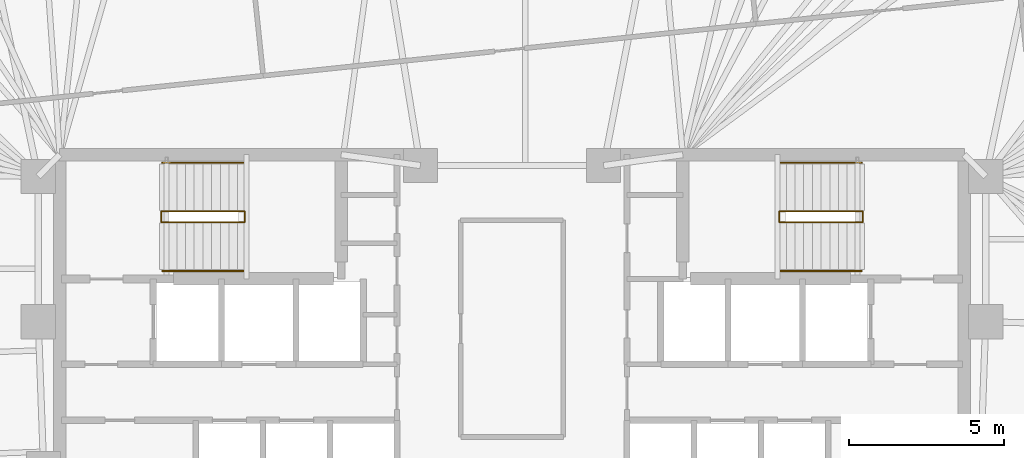
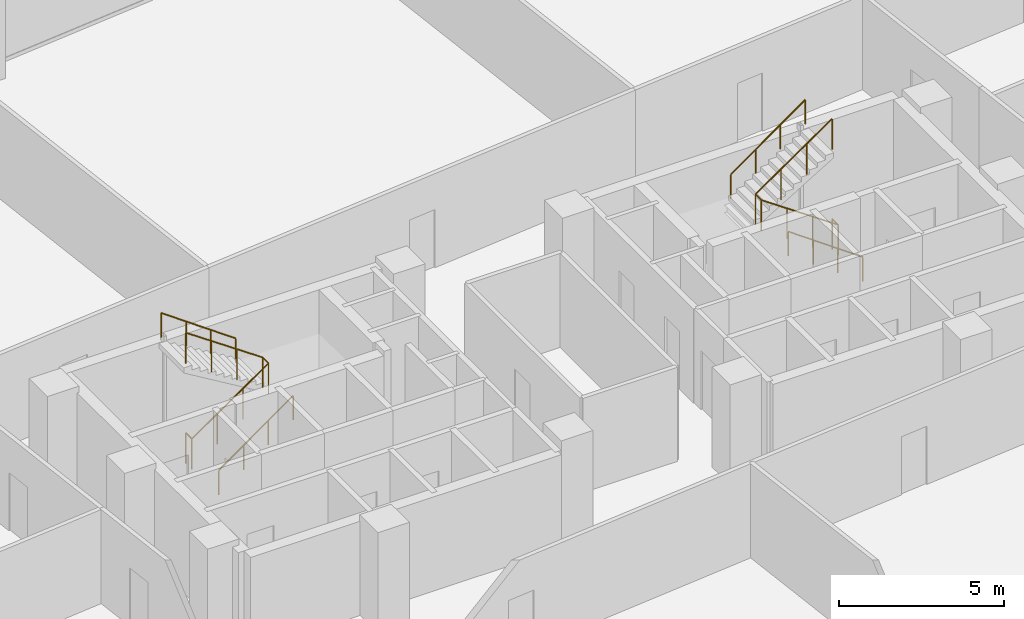
# One storey, part 18 of 18: 6 railings.
"""IFC4 building model written with IfcOpenShell, lengths in metres."""

from ifc_helpers import new_model, si_unit, direction, frame, origin, origin_2d, place, context, subcontext, project, spatial, circle, extrude, material, type_object, element, save


model = new_model("IFC4")

# Units and contexts
model_context = context("Model", 3, precision=1e-05, world=origin(), true_north=direction((0.0, 1.0)))
body_context = subcontext(model_context, "Body", "Model", "MODEL_VIEW")
ifc_project = project(units=[si_unit("LENGTHUNIT", "METRE"), si_unit("AREAUNIT", "SQUARE_METRE"), si_unit("VOLUMEUNIT", "CUBIC_METRE"), si_unit("PLANEANGLEUNIT", "RADIAN"), si_unit("MASSUNIT", "GRAM", prefix="KILO")], contexts=[model_context])

# Site, building, storey
site_placement = place(None, origin())
site = spatial("IfcSite", under=ifc_project, at=site_placement, CompositionType="ELEMENT")
building_placement = place(site_placement, origin())
building = spatial("IfcBuilding", under=site, at=building_placement, Name="Menara Jurai Vektor", CompositionType="ELEMENT")
storey_placement = place(building_placement, frame((0.0, 0.0, 117.0)))
storey = spatial("IfcBuildingStorey", under=building, at=storey_placement, Name="L29", CompositionType="ELEMENT", Elevation=117.0)

# Railings
ifc_material_1 = material(Name="Painted Galvanised Steel Balustrade", Category="steel")
railing_type_1 = type_object("IfcRailingType", Name="RAIL-STAIR-GUARD", PredefinedType="GUARDRAIL", material=ifc_material_1)
railing_1_placement = place(storey_placement, frame((-11.2900390625, 3.780029296875, 0.0)))
element("IfcRailing", 1, at=railing_1_placement, inside=storey, type_object=railing_type_1, Name="ST1 Stair Guardrail 1 L29", PredefinedType="GUARDRAIL", context=body_context, shape_type="SweptSolid", body=[
    extrude(circle(Radius=0.02392578125, at=origin_2d()), frame((0.0, 0.0, 1.1259765625), z_axis=(0.0, -1.0, 0.0), x_axis=(1.0, 0.0, 0.0)), (0.0, 0.0, 1.0), 0.360107421875),
    extrude(circle(Radius=0.02392578125, at=origin_2d()), frame((0.0, -0.360107421875, 1.1259765625), z_axis=(0.822944469782, 0.0, 0.568121817619), x_axis=(0.0, 1.0, 0.0)), (0.0, 0.0, 1.0), 3.256591796875),
    extrude(circle(Radius=0.02392578125, at=origin_2d()), frame((2.679931640625, -0.360107421875, 2.97607421875), z_axis=(0.0, 1.0, 0.0), x_axis=(-1.0, 0.0, 0.0)), (0.0, 0.0, 1.0), 0.360107421875),
    extrude(circle(Radius=0.02392578125, at=origin_2d()), frame((2.679931640625, 0.0, 2.97607421875), z_axis=(-0.822979520584, 0.0, 0.568071041948), x_axis=(0.0, -1.0, 0.0)), (0.0, 0.0, 1.0), 3.25634765625),
    extrude(circle(Radius=0.02099609375, at=origin_2d()), origin(), (0.0, 0.0, 1.0), 1.101806640625),
    extrude(circle(Radius=0.02099609375, at=origin_2d()), frame((0.0, -0.360107421875, 0.0)), (0.0, 0.0, 1.0), 1.101806640625),
    extrude(circle(Radius=0.02099609375, at=origin_2d()), frame((0.893310546875, -0.360107421875, 0.61669921875)), (0.0, 0.0, 1.0), 1.101806640625),
    extrude(circle(Radius=0.02099609375, at=origin_2d()), frame((1.78662109375, -0.360107421875, 1.2333984375)), (0.0, 0.0, 1.0), 1.101806640625),
    extrude(circle(Radius=0.02099609375, at=origin_2d()), frame((2.679931640625, -0.360107421875, 1.85009765625)), (0.0, 0.0, 1.0), 1.101806640625),
    extrude(circle(Radius=0.02099609375, at=origin_2d()), frame((2.679931640625, 0.0, 1.85009765625)), (0.0, 0.0, 1.0), 1.101806640625),
    extrude(circle(Radius=0.02099609375, at=origin_2d()), frame((1.78662109375, 0.0, 2.466796875)), (0.0, 0.0, 1.0), 1.101806640625),
    extrude(circle(Radius=0.02099609375, at=origin_2d()), frame((0.893310546875, 0.0, 3.083251953125)), (0.0, 0.0, 1.0), 1.101806640625),
    extrude(circle(Radius=0.02099609375, at=origin_2d()), frame((0.0, 0.0, 3.699951171875)), (0.0, 0.0, 1.0), 1.101806640625),
])
railing_2_placement = place(storey_placement, frame((11.2900390625, 3.780029296875, 0.0)))
element("IfcRailing", 2, at=railing_2_placement, inside=storey, type_object=railing_type_1, Name="ST2 Stair Guardrail 1 L29", PredefinedType="GUARDRAIL", context=body_context, shape_type="SweptSolid", body=[
    extrude(circle(Radius=0.02392578125, at=origin_2d()), frame((0.0, 0.0, 1.1259765625), z_axis=(0.0, -1.0, 0.0), x_axis=(1.0, 0.0, 0.0)), (0.0, 0.0, 1.0), 0.360107421875),
    extrude(circle(Radius=0.02392578125, at=origin_2d()), frame((0.0, -0.360107421875, 1.1259765625), z_axis=(-0.822944469782, 0.0, 0.568121817619), x_axis=(0.0, -1.0, 0.0)), (0.0, 0.0, 1.0), 3.256591796875),
    extrude(circle(Radius=0.02392578125, at=origin_2d()), frame((-2.679931640625, -0.360107421875, 2.97607421875), z_axis=(0.0, 1.0, 0.0), x_axis=(-1.0, 0.0, 0.0)), (0.0, 0.0, 1.0), 0.360107421875),
    extrude(circle(Radius=0.02392578125, at=origin_2d()), frame((-2.679931640625, 0.0, 2.97607421875), z_axis=(0.822979520584, 0.0, 0.568071041948), x_axis=(0.0, 1.0, 0.0)), (0.0, 0.0, 1.0), 3.25634765625),
    extrude(circle(Radius=0.02099609375, at=origin_2d()), origin(), (0.0, 0.0, 1.0), 1.101806640625),
    extrude(circle(Radius=0.02099609375, at=origin_2d()), frame((0.0, -0.360107421875, 0.0)), (0.0, 0.0, 1.0), 1.101806640625),
    extrude(circle(Radius=0.02099609375, at=origin_2d()), frame((-0.893310546875, -0.360107421875, 0.61669921875)), (0.0, 0.0, 1.0), 1.101806640625),
    extrude(circle(Radius=0.02099609375, at=origin_2d()), frame((-1.78662109375, -0.360107421875, 1.2333984375)), (0.0, 0.0, 1.0), 1.101806640625),
    extrude(circle(Radius=0.02099609375, at=origin_2d()), frame((-2.679931640625, -0.360107421875, 1.85009765625)), (0.0, 0.0, 1.0), 1.101806640625),
    extrude(circle(Radius=0.02099609375, at=origin_2d()), frame((-2.679931640625, 0.0, 1.85009765625)), (0.0, 0.0, 1.0), 1.101806640625),
    extrude(circle(Radius=0.02099609375, at=origin_2d()), frame((-1.78662109375, 0.0, 2.466796875)), (0.0, 0.0, 1.0), 1.101806640625),
    extrude(circle(Radius=0.02099609375, at=origin_2d()), frame((-0.893310546875, 0.0, 3.083251953125)), (0.0, 0.0, 1.0), 1.101806640625),
    extrude(circle(Radius=0.02099609375, at=origin_2d()), frame((0.0, 0.0, 3.699951171875)), (0.0, 0.0, 1.0), 1.101806640625),
])
ifc_material_2 = material(Name="Brushed Stainless Steel Handrail", Category="steel")
railing_type_2 = type_object("IfcRailingType", Name="RAIL-STAIR-HAND", PredefinedType="HANDRAIL", material=ifc_material_2)
railing_3_placement = place(storey_placement, frame((-11.25, 1.860107421875, 0.0)))
element("IfcRailing", 3, at=railing_3_placement, inside=storey, type_object=railing_type_2, Name="ST1 Stair Handrail 1 L29", PredefinedType="HANDRAIL", context=body_context, shape_type="SweptSolid", body=[
    extrude(circle(Radius=0.02392578125, at=origin_2d()), frame((0.0, 0.0, 0.89599609375), z_axis=(0.814786671209, 0.0, 0.579760882106), x_axis=(0.0, 1.0, 0.0)), (0.0, 0.0, 1.0), 3.191162109375),
    extrude(circle(Radius=0.02099609375, at=origin_2d()), origin(), (0.0, 0.0, 1.0), 0.871826171875),
    extrude(circle(Radius=0.02099609375, at=origin_2d()), frame((0.86669921875, 0.0, 0.61669921875)), (0.0, 0.0, 1.0), 0.871826171875),
    extrude(circle(Radius=0.02099609375, at=origin_2d()), frame((1.7333984375, 0.0, 1.2333984375)), (0.0, 0.0, 1.0), 0.871826171875),
    extrude(circle(Radius=0.02099609375, at=origin_2d()), frame((2.60009765625, 0.0, 1.85009765625)), (0.0, 0.0, 1.0), 0.871826171875),
])
railing_4_placement = place(storey_placement, frame((-8.64990234375, 5.340087890625, 1.85009765625)))
element("IfcRailing", 4, at=railing_4_placement, inside=storey, type_object=railing_type_2, Name="ST1 Stair Handrail 2 L29", PredefinedType="HANDRAIL", context=body_context, shape_type="SweptSolid", body=[
    extrude(circle(Radius=0.02392578125, at=origin_2d()), frame((0.0, 0.0, 0.89599609375), z_axis=(-0.814822811145, 0.0, 0.579710088267), x_axis=(0.0, -1.0, 0.0)), (0.0, 0.0, 1.0), 3.19091796875),
    extrude(circle(Radius=0.02099609375, at=origin_2d()), origin(), (0.0, 0.0, 1.0), 0.871826171875),
    extrude(circle(Radius=0.02099609375, at=origin_2d()), frame((-0.86669921875, 0.0, 0.61669921875)), (0.0, 0.0, 1.0), 0.871826171875),
    extrude(circle(Radius=0.02099609375, at=origin_2d()), frame((-1.7333984375, 0.0, 1.233154296875)), (0.0, 0.0, 1.0), 0.871826171875),
    extrude(circle(Radius=0.02099609375, at=origin_2d()), frame((-2.60009765625, 0.0, 1.849853515625)), (0.0, 0.0, 1.0), 0.871826171875),
])
railing_5_placement = place(storey_placement, frame((11.25, 1.860107421875, 0.0)))
element("IfcRailing", 5, at=railing_5_placement, inside=storey, type_object=railing_type_2, Name="ST2 Stair Handrail 1 L29", PredefinedType="HANDRAIL", context=body_context, shape_type="SweptSolid", body=[
    extrude(circle(Radius=0.02392578125, at=origin_2d()), frame((0.0, 0.0, 0.89599609375), z_axis=(-0.814786671209, 0.0, 0.579760882106), x_axis=(0.0, -1.0, 0.0)), (0.0, 0.0, 1.0), 3.191162109375),
    extrude(circle(Radius=0.02099609375, at=origin_2d()), origin(), (0.0, 0.0, 1.0), 0.871826171875),
    extrude(circle(Radius=0.02099609375, at=origin_2d()), frame((-0.86669921875, 0.0, 0.61669921875)), (0.0, 0.0, 1.0), 0.871826171875),
    extrude(circle(Radius=0.02099609375, at=origin_2d()), frame((-1.7333984375, 0.0, 1.2333984375)), (0.0, 0.0, 1.0), 0.871826171875),
    extrude(circle(Radius=0.02099609375, at=origin_2d()), frame((-2.60009765625, 0.0, 1.85009765625)), (0.0, 0.0, 1.0), 0.871826171875),
])
railing_6_placement = place(storey_placement, frame((8.64990234375, 5.340087890625, 1.85009765625)))
element("IfcRailing", 6, at=railing_6_placement, inside=storey, type_object=railing_type_2, Name="ST2 Stair Handrail 2 L29", PredefinedType="HANDRAIL", context=body_context, shape_type="SweptSolid", body=[
    extrude(circle(Radius=0.02392578125, at=origin_2d()), frame((0.0, 0.0, 0.89599609375), z_axis=(0.814822811145, 0.0, 0.579710088267), x_axis=(0.0, 1.0, 0.0)), (0.0, 0.0, 1.0), 3.19091796875),
    extrude(circle(Radius=0.02099609375, at=origin_2d()), origin(), (0.0, 0.0, 1.0), 0.871826171875),
    extrude(circle(Radius=0.02099609375, at=origin_2d()), frame((0.86669921875, 0.0, 0.61669921875)), (0.0, 0.0, 1.0), 0.871826171875),
    extrude(circle(Radius=0.02099609375, at=origin_2d()), frame((1.7333984375, 0.0, 1.233154296875)), (0.0, 0.0, 1.0), 0.871826171875),
    extrude(circle(Radius=0.02099609375, at=origin_2d()), frame((2.60009765625, 0.0, 1.849853515625)), (0.0, 0.0, 1.0), 0.871826171875),
])

save(model, "model.ifc")
